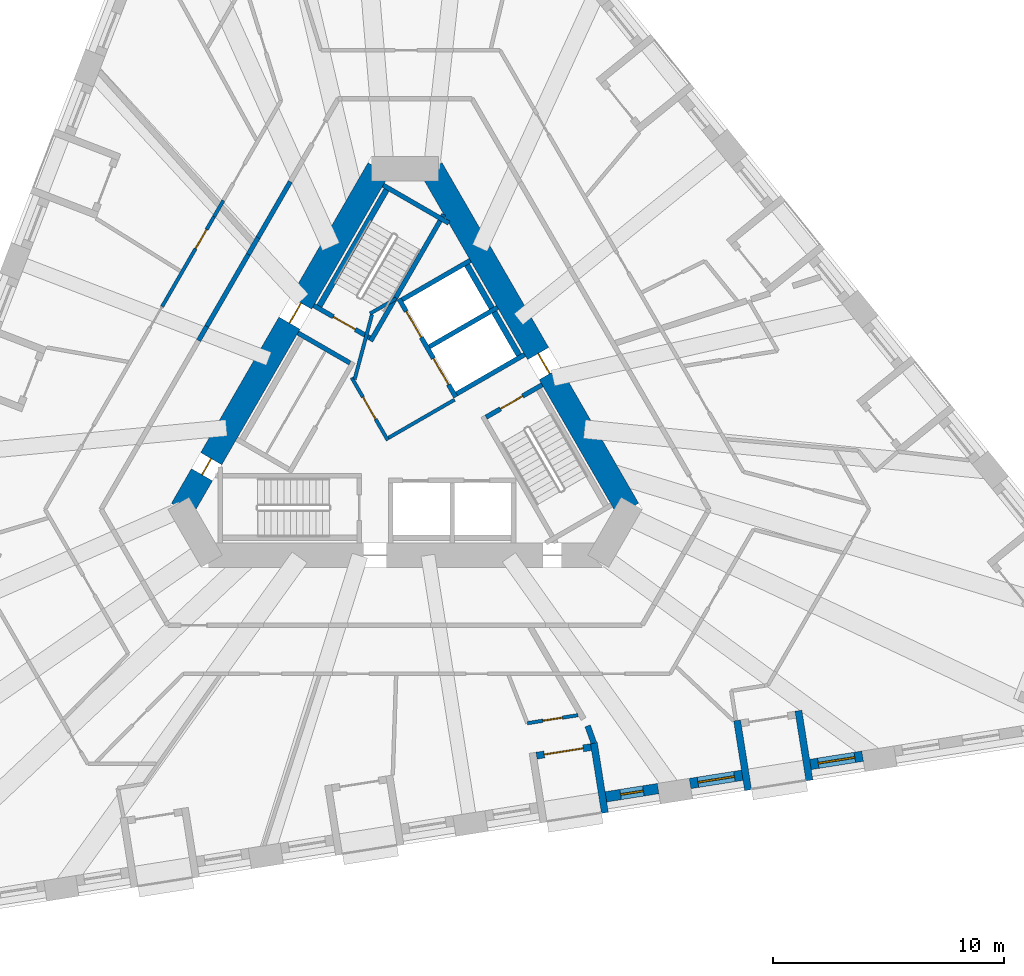
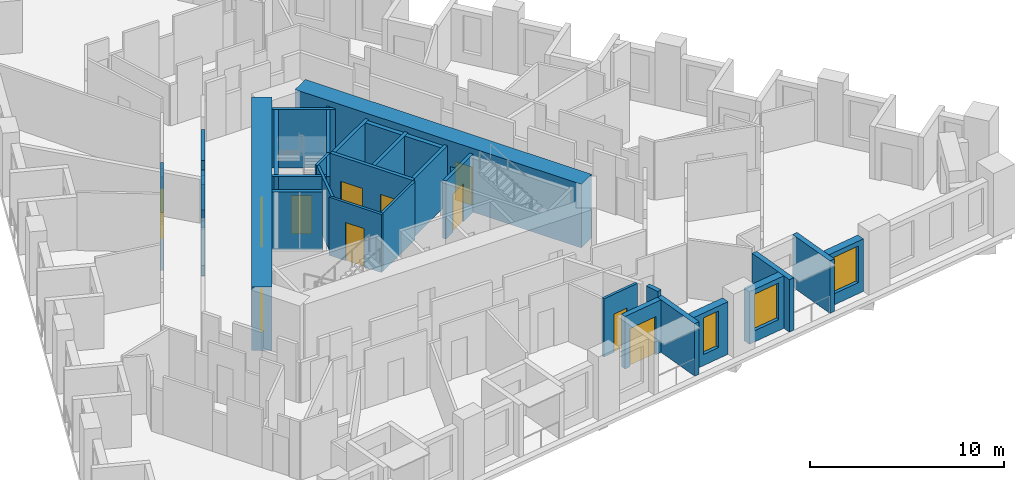
# One storey, part 5 of 14: 32 walls, 11 doors, 3 windows, 14 openings.
"""IFC4 building model written with IfcOpenShell, lengths in metres."""

from ifc_helpers import new_model, si_unit, direction, frame, frame_2d, origin, place, context, subcontext, project, spatial, rectangle, extrude, material, layer, layer_set, type_object, element, fill, save


model = new_model("IFC4")

# Units and contexts
model_context = context("Model", 3, precision=1e-05, world=origin(), true_north=direction((0.0, 1.0)))
body_context = subcontext(model_context, "Body", "Model", "MODEL_VIEW")
ifc_project = project(units=[si_unit("LENGTHUNIT", "METRE"), si_unit("AREAUNIT", "SQUARE_METRE"), si_unit("VOLUMEUNIT", "CUBIC_METRE"), si_unit("PLANEANGLEUNIT", "RADIAN"), si_unit("MASSUNIT", "GRAM", prefix="KILO")], contexts=[model_context])

# Site, building, storey
site_placement = place(None, origin())
site = spatial("IfcSite", under=ifc_project, at=site_placement, CompositionType="ELEMENT")
building_placement = place(site_placement, origin())
building = spatial("IfcBuilding", under=site, at=building_placement, Name="Tramontana Tower", CompositionType="ELEMENT")
storey_placement = place(building_placement, frame((0.0, 0.0, 75.199951171875)))
storey = spatial("IfcBuildingStorey", under=building, at=storey_placement, Name="L16", CompositionType="ELEMENT", Elevation=75.199951171875)

# Wall, openings, doors
ifc_material_1 = material(Name="Concrete 70 MPa", Category="concrete")
ifc_layer_1 = layer(ifc_material_1, 1.050048828125)
ifc_layer_set_1 = layer_set([ifc_layer_1], Name="Core wall 1050 70 MPa")
wall_type_1 = type_object("IfcWallType", Name="Core wall 1050 70 MPa", PredefinedType="SHEAR", material=ifc_layer_set_1)
wall_1_placement = place(storey_placement, frame((-1.140380859375, 10.47509765625, 0.0), z_axis=(0.0, 0.0, 1.0), x_axis=(-0.499985955615, -0.866033512162, 0.0)))
wall_1 = element("IfcWall", 1, at=wall_1_placement, inside=storey, type_object=wall_type_1, Name="Core wall C1 L16", PredefinedType="SHEAR", context=body_context, shape_type="SweptSolid", body=[
    extrude(rectangle(XDim=17.0029296875, YDim=1.050048828125, at=frame_2d((8.50146484375, 0.0))), origin(), (0.0, 0.0, 1.0), 4.0),
])
opening_1_placement = place(wall_1_placement, frame((6.70654296875, 0.0, 0.0)))
opening_1 = element("IfcOpeningElement", 2, at=opening_1_placement, cuts=wall_1, Name="Opening RG1", PredefinedType="OPENING", context=body_context, shape_type="SweptSolid", body=[
    extrude(rectangle(XDim=1.0, YDim=2.39990234375, at=frame_2d((0.5, 1.199951171875))), frame((0.0, 0.534912109375, 0.0), z_axis=(0.0, -1.0, 0.0), x_axis=(1.0, 0.0, 0.0)), (0.0, 0.0, 1.0), 1.070068359375),
])
opening_2_placement = place(wall_1_placement, frame((14.472412109375, 0.0, 0.0)))
opening_2 = element("IfcOpeningElement", 3, at=opening_2_placement, cuts=wall_1, Name="Opening PD1", PredefinedType="OPENING", context=body_context, shape_type="SweptSolid", body=[
    extrude(rectangle(XDim=0.800048828125, YDim=2.10009765625, at=frame_2d((0.39990234375, 1.050048828125))), frame((0.0, 0.534912109375, 0.0), z_axis=(0.0, -1.0, 0.0), x_axis=(1.0, 0.0, 0.0)), (0.0, 0.0, 1.0), 1.070068359375),
])
ifc_material_2 = material(Name="Painted steel", Category="steel")
door_type_1 = type_object("IfcDoorType", Name="CUPBOARD DOOR 800", OperationType="SINGLE_SWING_LEFT", PredefinedType="DOOR", material=ifc_material_2)
door_1_placement = place(opening_2_placement, origin())
door_1 = element("IfcDoor", 4, at=door_1_placement, inside=storey, type_object=door_type_1, Name="Door PD1", OperationType="SINGLE_SWING_LEFT", OverallHeight=2.10009765625, OverallWidth=0.800048828125, PredefinedType="DOOR", context=body_context, shape_type="SweptSolid", body=[
    extrude(rectangle(XDim=0.800048828125, YDim=2.10009765625, at=frame_2d((0.39990234375, 1.050048828125))), frame((0.0, 0.02490234375, 0.0), z_axis=(0.0, -1.0, 0.0), x_axis=(1.0, 0.0, 0.0)), (0.0, 0.0, 1.0), 0.050048828125),
])
fill(opening_2, door_1)
ifc_material_3 = material(Name="Painted steel", Category="steel")
door_type_2 = type_object("IfcDoorType", Name="RING DOOR 1000", OperationType="SINGLE_SWING_LEFT", PredefinedType="DOOR", material=ifc_material_3)
door_2_placement = place(opening_1_placement, origin())
door_2 = element("IfcDoor", 5, at=door_2_placement, inside=storey, type_object=door_type_2, Name="Door RG1", OperationType="SINGLE_SWING_RIGHT", OverallHeight=2.39990234375, OverallWidth=1.0, PredefinedType="DOOR", context=body_context, shape_type="SweptSolid", body=[
    extrude(rectangle(XDim=1.0, YDim=2.39990234375, at=frame_2d((0.5, 1.199951171875))), frame((0.0, 0.02490234375, 0.0), z_axis=(0.0, -1.0, 0.0), x_axis=(1.0, 0.0, 0.0)), (0.0, 0.0, 1.0), 0.050048828125),
])
fill(opening_1, door_2)

# Wall, opening, door
wall_2_placement = place(storey_placement, frame((9.6416015625, -4.25, 0.0), z_axis=(0.0, 0.0, 1.0), x_axis=(-0.499985955615, 0.866033512162, 0.0)))
wall_2 = element("IfcWall", 6, at=wall_2_placement, inside=storey, type_object=wall_type_1, Name="Core wall C5 L16", PredefinedType="SHEAR", context=body_context, shape_type="SweptSolid", body=[
    extrude(rectangle(XDim=17.0029296875, YDim=1.050048828125, at=frame_2d((8.50146484375, 0.0))), origin(), (0.0, 0.0, 1.0), 4.0),
])
opening_3_placement = place(wall_2_placement, frame((6.7763671875, 0.0, 0.0)))
opening_3 = element("IfcOpeningElement", 7, at=opening_3_placement, cuts=wall_2, Name="Opening RG3", PredefinedType="OPENING", context=body_context, shape_type="SweptSolid", body=[
    extrude(rectangle(XDim=1.0, YDim=2.39990234375, at=frame_2d((0.5, 1.199951171875))), frame((0.0, 0.534912109375, 0.0), z_axis=(0.0, -1.0, 0.0), x_axis=(1.0, 0.0, 0.0)), (0.0, 0.0, 1.0), 1.070068359375),
])
door_3_placement = place(opening_3_placement, origin())
door_3 = element("IfcDoor", 8, at=door_3_placement, inside=storey, type_object=door_type_2, Name="Door RG3", OperationType="SINGLE_SWING_RIGHT", OverallHeight=2.39990234375, OverallWidth=1.0, PredefinedType="DOOR", context=body_context, shape_type="SweptSolid", body=[
    extrude(rectangle(XDim=1.0, YDim=2.39990234375, at=frame_2d((0.5, 1.199951171875))), frame((0.0, 0.02490234375, 0.0), z_axis=(0.0, -1.0, 0.0), x_axis=(1.0, 0.0, 0.0)), (0.0, 0.0, 1.0), 0.050048828125),
])
fill(opening_3, door_3)

# Walls
ifc_material_4 = material(Name="Blockwork", Category="masonry")
ifc_layer_2 = layer(ifc_material_4, 0.199951171875)
ifc_layer_set_2 = layer_set([ifc_layer_2], Name="ENTRY WALL 200")
wall_type_2 = type_object("IfcWallType", Name="ENTRY WALL 200", PredefinedType="SOLIDWALL", material=ifc_layer_set_2)
wall_3_placement = place(storey_placement, frame((-8.92041015625, 3.04931640625, 0.0), z_axis=(0.0, 0.0, 1.0), x_axis=(0.499881507708, 0.866093804534, 0.0)))
element("IfcWall", 9, at=wall_3_placement, inside=storey, type_object=wall_type_2, Name="Wall v12-ew4-3", PredefinedType="SOLIDWALL", context=body_context, shape_type="SweptSolid", body=[
    extrude(rectangle(XDim=0.708740234375, YDim=0.199951171875, at=frame_2d((0.3544921875, 0.0))), origin(), (0.0, 0.0, 1.0), 2.949951171875),
])
wall_4_placement = place(storey_placement, frame((-8.566162109375, 3.6630859375, 0.0), z_axis=(0.0, 0.0, 1.0), x_axis=(0.500013241293, 0.866017758786, 0.0)))
element("IfcWall", 10, at=wall_4_placement, inside=storey, type_object=wall_type_2, Name="Wall v12-ew4-4", PredefinedType="SOLIDWALL", context=body_context, shape_type="SweptSolid", body=[
    extrude(rectangle(XDim=3.58544921875, YDim=0.199951171875, at=frame_2d((1.792724609375, 0.0))), origin(), (0.0, 0.0, 1.0), 3.650146484375),
])
wall_5_placement = place(storey_placement, frame((-6.7734375, 6.76806640625, 0.0), z_axis=(0.0, 0.0, 1.0), x_axis=(0.500117447933, 0.865957584569, 0.0)))
element("IfcWall", 11, at=wall_5_placement, inside=storey, type_object=wall_type_2, Name="Wall v12-ew4-5", PredefinedType="SOLIDWALL", context=body_context, shape_type="SweptSolid", body=[
    extrude(rectangle(XDim=0.838134765625, YDim=0.199951171875, at=frame_2d((0.4189453125, 0.0))), origin(), (0.0, 0.0, 1.0), 2.75),
])
wall_6_placement = place(storey_placement, frame((-6.354248046875, 7.493896484375, 0.0), z_axis=(0.0, 0.0, 1.0), x_axis=(0.499964529649, 0.866045881633, 0.0)))
element("IfcWall", 12, at=wall_6_placement, inside=storey, type_object=wall_type_2, Name="Wall v12-ew4-6", PredefinedType="SOLIDWALL", context=body_context, shape_type="SweptSolid", body=[
    extrude(rectangle(XDim=2.793701171875, YDim=0.199951171875, at=frame_2d((1.39697265625, 0.0))), origin(), (0.0, 0.0, 1.0), 3.650146484375),
])

# Wall, opening, window
ifc_material_5 = material(Name="Precast concrete 60 MPa", Category="concrete")
ifc_layer_3 = layer(ifc_material_5, 0.449951171875)
ifc_layer_set_3 = layer_set([ifc_layer_3], Name="Precast concrete 60 MPa, 450 mm")
wall_type_3 = type_object("IfcWallType", Name="EW1 Stone-faced precast wall 450", PredefinedType="SOLIDWALL", material=ifc_layer_set_3)
wall_7_placement = place(storey_placement, frame((8.680908203125, -16.67236328125, 0.0), z_axis=(0.0, 0.0, 1.0), x_axis=(0.987685675151, 0.156451293065, 0.0)))
wall_7 = element("IfcWall", 13, at=wall_7_placement, inside=storey, type_object=wall_type_3, Name="External wall L16 face 1 bay 4", PredefinedType="SOLIDWALL", context=body_context, shape_type="SweptSolid", body=[
    extrude(rectangle(XDim=2.282958984375, YDim=0.449951171875, at=frame_2d((1.1416015625, 0.0))), origin(), (0.0, 0.0, 1.0), 3.300048828125),
])
opening_4_placement = place(wall_7_placement, frame((0.6416015625, 0.0, 0.699951171875)))
opening_4 = element("IfcOpeningElement", 14, at=opening_4_placement, cuts=wall_7, Name="Opening N1", PredefinedType="OPENING", context=body_context, shape_type="SweptSolid", body=[
    extrude(rectangle(XDim=1.0, YDim=2.300048828125, at=frame_2d((0.5, 1.14990234375))), frame((0.0, 0.23486328125, 0.0), z_axis=(0.0, -1.0, 0.0), x_axis=(1.0, 0.0, 0.0)), (0.0, 0.0, 1.0), 0.469970703125),
])
ifc_material_6 = material(Name="Aluminum frame, double glazing unit", Category="aluminium")
window_type_1 = type_object("IfcWindowType", Name="N1 Window 1 x 2.3", PartitioningType="SINGLE_PANEL", PredefinedType="WINDOW", material=ifc_material_6)
window_1_placement = place(opening_4_placement, origin())
window_1 = element("IfcWindow", 15, at=window_1_placement, inside=storey, type_object=window_type_1, Name="Window N1 L16 face 1 module 12", OverallHeight=2.300048828125, OverallWidth=1.0, PartitioningType="SINGLE_PANEL", PredefinedType="WINDOW", context=body_context, shape_type="SweptSolid", body=[
    extrude(rectangle(XDim=1.0, YDim=2.300048828125, at=frame_2d((0.5, 1.14990234375))), frame((0.0, 0.030029296875, 0.0), z_axis=(0.0, -1.0, 0.0), x_axis=(1.0, 0.0, 0.0)), (0.0, 0.0, 1.0), 0.06005859375),
])
fill(opening_4, window_1)

wall_8_placement = place(storey_placement, frame((12.318603515625, -16.09619140625, 0.0), z_axis=(0.0, 0.0, 1.0), x_axis=(0.987685675151, 0.156451293065, 0.0)))
wall_8 = element("IfcWall", 16, at=wall_8_placement, inside=storey, type_object=wall_type_3, Name="External wall L16 face 1 bay 5", PredefinedType="SOLIDWALL", context=body_context, shape_type="SweptSolid", body=[
    extrude(rectangle(XDim=2.282958984375, YDim=0.449951171875, at=frame_2d((1.1416015625, 0.0))), origin(), (0.0, 0.0, 1.0), 3.300048828125),
])
opening_5_placement = place(wall_8_placement, frame((0.341552734375, 0.0, 0.699951171875)))
opening_5 = element("IfcOpeningElement", 17, at=opening_5_placement, cuts=wall_8, Name="Opening M1", PredefinedType="OPENING", context=body_context, shape_type="SweptSolid", body=[
    extrude(rectangle(XDim=1.60009765625, YDim=2.300048828125, at=frame_2d((0.800048828125, 1.14990234375))), frame((0.0, 0.23486328125, 0.0), z_axis=(0.0, -1.0, 0.0), x_axis=(1.0, 0.0, 0.0)), (0.0, 0.0, 1.0), 0.469970703125),
])
ifc_material_7 = material(Name="Aluminum frame, double glazing unit", Category="aluminium")
window_type_2 = type_object("IfcWindowType", Name="M1 Window 1.6 x 2.3", PartitioningType="SINGLE_PANEL", PredefinedType="WINDOW", material=ifc_material_7)
window_2_placement = place(opening_5_placement, origin())
window_2 = element("IfcWindow", 18, at=window_2_placement, inside=storey, type_object=window_type_2, Name="Window M1 L16 face 1 module 13", OverallHeight=2.300048828125, OverallWidth=1.60009765625, PartitioningType="SINGLE_PANEL", PredefinedType="WINDOW", context=body_context, shape_type="SweptSolid", body=[
    extrude(rectangle(XDim=1.60009765625, YDim=2.300048828125, at=frame_2d((0.800048828125, 1.14990234375))), frame((0.0, 0.030029296875, 0.0), z_axis=(0.0, -1.0, 0.0), x_axis=(1.0, 0.0, 0.0)), (0.0, 0.0, 1.0), 0.06005859375),
])
fill(opening_5, window_2)

wall_9_placement = place(storey_placement, frame((17.519775390625, -15.2724609375, 0.0), z_axis=(0.0, 0.0, 1.0), x_axis=(0.987685675151, 0.156451293065, 0.0)))
wall_9 = element("IfcWall", 19, at=wall_9_placement, inside=storey, type_object=wall_type_3, Name="External wall L16 face 1 bay 5", PredefinedType="SOLIDWALL", context=body_context, shape_type="SweptSolid", body=[
    extrude(rectangle(XDim=2.282958984375, YDim=0.449951171875, at=frame_2d((1.1416015625, 0.0))), origin(), (0.0, 0.0, 1.0), 3.300048828125),
])
opening_6_placement = place(wall_9_placement, frame((0.341552734375, 0.0, 0.699951171875)))
opening_6 = element("IfcOpeningElement", 20, at=opening_6_placement, cuts=wall_9, Name="Opening M1", PredefinedType="OPENING", context=body_context, shape_type="SweptSolid", body=[
    extrude(rectangle(XDim=1.60009765625, YDim=2.300048828125, at=frame_2d((0.800048828125, 1.14990234375))), frame((0.0, 0.23486328125, 0.0), z_axis=(0.0, -1.0, 0.0), x_axis=(1.0, 0.0, 0.0)), (0.0, 0.0, 1.0), 0.469970703125),
])
window_3_placement = place(opening_6_placement, origin())
window_3 = element("IfcWindow", 21, at=window_3_placement, inside=storey, type_object=window_type_2, Name="Window M1 L16 face 1 module 15", OverallHeight=2.300048828125, OverallWidth=1.60009765625, PartitioningType="SINGLE_PANEL", PredefinedType="WINDOW", context=body_context, shape_type="SweptSolid", body=[
    extrude(rectangle(XDim=1.60009765625, YDim=2.300048828125, at=frame_2d((0.800048828125, 1.14990234375))), frame((0.0, 0.030029296875, 0.0), z_axis=(0.0, -1.0, 0.0), x_axis=(1.0, 0.0, 0.0)), (0.0, 0.0, 1.0), 0.06005859375),
])
fill(opening_6, window_3)

# Wall, opening, door
ifc_material_8 = material(Name="Precast concrete 60 MPa", Category="concrete")
ifc_layer_4 = layer(ifc_material_8, 0.300048828125)
ifc_layer_set_4 = layer_set([ifc_layer_4], Name="LW1 Stone-faced loggia wall 300")
wall_type_4 = type_object("IfcWallType", Name="LW1 Stone-faced loggia wall 300", PredefinedType="SOLIDWALL", material=ifc_layer_set_4)
wall_10_placement = place(storey_placement, frame((5.682861328125, -14.894287109375, 0.0), z_axis=(0.0, 0.0, 1.0), x_axis=(0.987688093492, 0.15643602518, 0.0)))
wall_10 = element("IfcWall", 22, at=wall_10_placement, inside=storey, type_object=wall_type_4, Name="Loggia wall L16 G1S1.10", PredefinedType="SOLIDWALL", context=body_context, shape_type="SweptSolid", body=[
    extrude(rectangle(XDim=2.383056640625, YDim=0.300048828125, at=frame_2d((1.19140625, 0.0))), origin(), (0.0, 0.0, 1.0), 3.300048828125),
])
opening_7_placement = place(wall_10_placement, frame((0.341552734375, 0.0, 0.0)))
opening_7 = element("IfcOpeningElement", 23, at=opening_7_placement, cuts=wall_10, Name="Opening BD-1S1-10", PredefinedType="OPENING", context=body_context, shape_type="SweptSolid", body=[
    extrude(rectangle(XDim=1.699951171875, YDim=2.39990234375, at=frame_2d((0.85009765625, 1.199951171875))), frame((0.0, 0.159912109375, 0.0), z_axis=(0.0, -1.0, 0.0), x_axis=(1.0, 0.0, 0.0)), (0.0, 0.0, 1.0), 0.320068359375),
])
ifc_material_9 = material(Name="Aluminum frame, double glazing unit", Category="aluminium")
door_type_3 = type_object("IfcDoorType", Name="BD1 Sliding door 1.7 x 2.4", OperationType="SLIDING_TO_LEFT", PredefinedType="DOOR", material=ifc_material_9)
door_4_placement = place(opening_7_placement, origin())
door_4 = element("IfcDoor", 24, at=door_4_placement, inside=storey, type_object=door_type_3, Name="Loggia door L16 G1S1.10", OperationType="SLIDING_TO_LEFT", OverallHeight=2.39990234375, OverallWidth=1.699951171875, PredefinedType="DOOR", context=body_context, shape_type="SweptSolid", body=[
    extrude(rectangle(XDim=1.699951171875, YDim=2.39990234375, at=frame_2d((0.85009765625, 1.199951171875))), frame((0.0, 0.02490234375, 0.0), z_axis=(0.0, -1.0, 0.0), x_axis=(1.0, 0.0, 0.0)), (0.0, 0.0, 1.0), 0.050048828125),
])
fill(opening_7, door_4)

# Walls
for number, where, z_axis, x_axis, name in (
    (25, (8.638427734375, -17.3623046875, 0.0), (0.0, 0.0, 1.0), (-0.156410600741, 0.987692120033, 0.0), "Loggia return L16 G1S1.10b"),
    (26, (14.8271484375, -16.38232421875, 0.0), (0.0, 0.0, 1.0), (-0.156410600741, 0.987692120033, 0.0), "Loggia return L16 G1S1.13a"),
    (27, (17.47705078125, -15.96240234375, 0.0), (0.0, 0.0, 1.0), (-0.156410600741, 0.987692120033, 0.0), "Loggia return L16 G1S1.13b"),
):
    element("IfcWall", number, at=place(storey_placement, frame(where, z_axis=z_axis, x_axis=x_axis)), inside=storey, type_object=wall_type_4, Name=name, PredefinedType="SOLIDWALL", context=body_context, shape_type="SweptSolid", body=[
        extrude(rectangle(XDim=3.050048828125, YDim=0.300048828125, at=frame_2d((1.52490234375, 0.0))), origin(), (0.0, 0.0, 1.0), 3.300048828125),
    ])

# Wall, opening, door
ifc_material_10 = material(Name="Gypsum board partition")
ifc_layer_5 = layer(ifc_material_10, 0.14990234375)
ifc_layer_set_5 = layer_set([ifc_layer_5], Name="PARTITION 150")
wall_type_5 = type_object("IfcWallType", Name="PARTITION 150", PredefinedType="PARTITIONING", material=ifc_layer_set_5)
wall_11_placement = place(storey_placement, frame((-0.744140625, -1.260986328125, 0.0), z_axis=(0.0, 0.0, 1.0), x_axis=(-0.500004234368, 0.866022959057, 0.0)))
wall_11 = element("IfcWall", 28, at=wall_11_placement, inside=storey, type_object=wall_type_5, Name="Wall ff-front", PredefinedType="PARTITIONING", context=body_context, shape_type="SweptSolid", body=[
    extrude(rectangle(XDim=3.125, YDim=0.14990234375, at=frame_2d((1.5625, 0.0))), origin(), (0.0, 0.0, 1.0), 3.650146484375),
])
opening_8_placement = place(wall_11_placement, frame((1.050048828125, 0.0, 0.0)))
opening_8 = element("IfcOpeningElement", 29, at=opening_8_placement, cuts=wall_11, Name="Opening FD1", PredefinedType="OPENING", context=body_context, shape_type="SweptSolid", body=[
    extrude(rectangle(XDim=1.10009765625, YDim=2.39990234375, at=frame_2d((0.550048828125, 1.199951171875))), frame((0.0, 0.0849609375, 0.0), z_axis=(0.0, -1.0, 0.0), x_axis=(1.0, 0.0, 0.0)), (0.0, 0.0, 1.0), 0.169921875),
])
ifc_material_11 = material(Name="Painted timber", Category="wood")
door_type_4 = type_object("IfcDoorType", Name="DOOR ENTRY 1100", OperationType="SINGLE_SWING_LEFT", PredefinedType="DOOR", material=ifc_material_11)
door_5_placement = place(opening_8_placement, origin())
door_5 = element("IfcDoor", 30, at=door_5_placement, inside=storey, type_object=door_type_4, Name="Door FD1", OperationType="SINGLE_SWING_LEFT", OverallHeight=2.39990234375, OverallWidth=1.10009765625, PredefinedType="DOOR", context=body_context, shape_type="SweptSolid", body=[
    extrude(rectangle(XDim=1.10009765625, YDim=2.39990234375, at=frame_2d((0.550048828125, 1.199951171875))), frame((0.0, 0.02490234375, 0.0), z_axis=(0.0, -1.0, 0.0), x_axis=(1.0, 0.0, 0.0)), (0.0, 0.0, 1.0), 0.050048828125),
])
fill(opening_8, door_5)

# Walls
wall_12_placement = place(storey_placement, frame((-0.716796875, -1.15869140625, 0.0), z_axis=(0.0, 0.0, 1.0), x_axis=(0.866008176907, 0.50002983664, 0.0)))
element("IfcWall", 31, at=wall_12_placement, inside=storey, type_object=wall_type_5, Name="Wall ff-end0", PredefinedType="PARTITIONING", context=body_context, shape_type="SweptSolid", body=[
    extrude(rectangle(XDim=3.300048828125, YDim=0.14990234375, at=frame_2d((1.64990234375, 0.0))), origin(), (0.0, 0.0, 1.0), 3.650146484375),
])
wall_13_placement = place(storey_placement, frame((-2.177978515625, 1.372314453125, 0.0), z_axis=(0.0, 0.0, 1.0), x_axis=(0.258808958833, 0.96592852884, 0.0)))
element("IfcWall", 32, at=wall_13_placement, inside=storey, type_object=wall_type_5, Name="Wall ff-diag", PredefinedType="PARTITIONING", context=body_context, shape_type="SweptSolid", body=[
    extrude(rectangle(XDim=2.902587890625, YDim=0.14990234375, at=frame_2d((1.451171875, 0.0))), origin(), (0.0, 0.0, 1.0), 3.650146484375),
])
wall_14_placement = place(storey_placement, frame((-1.509765625, 4.21484375, 0.0), z_axis=(0.0, 0.0, 1.0), x_axis=(0.866085525409, 0.49989585183, 0.0)))
element("IfcWall", 33, at=wall_14_placement, inside=storey, type_object=wall_type_5, Name="Wall ff-end1", PredefinedType="PARTITIONING", context=body_context, shape_type="SweptSolid", body=[
    extrude(rectangle(XDim=1.300048828125, YDim=0.14990234375, at=frame_2d((0.64990234375, 0.0))), origin(), (0.0, 0.0, 1.0), 3.650146484375),
])

# Wall, opening, door
wall_15_placement = place(storey_placement, frame((-10.500244140625, 4.51318359375, 0.0), z_axis=(0.0, 0.0, 1.0), x_axis=(0.500001951578, 0.866024277037, 0.0)))
wall_15 = element("IfcWall", 34, at=wall_15_placement, inside=storey, type_object=wall_type_5, Name="Wall v12-pw03-4", PredefinedType="PARTITIONING", context=body_context, shape_type="SweptSolid", body=[
    extrude(rectangle(XDim=4.486328125, YDim=0.14990234375, at=frame_2d((2.2431640625, 0.0))), origin(), (0.0, 0.0, 1.0), 3.650146484375),
])
opening_9_placement = place(wall_15_placement, frame((2.894775390625, 0.0, 0.0)))
opening_9 = element("IfcOpeningElement", 35, at=opening_9_placement, cuts=wall_15, Name="Opening B1C-13", PredefinedType="OPENING", context=body_context, shape_type="SweptSolid", body=[
    extrude(rectangle(XDim=0.949951171875, YDim=2.39990234375, at=frame_2d((0.47509765625, 1.199951171875))), frame((0.0, 0.0849609375, 0.0), z_axis=(0.0, -1.0, 0.0), x_axis=(1.0, 0.0, 0.0)), (0.0, 0.0, 1.0), 0.169921875),
])
ifc_material_12 = material(Name="Painted timber", Category="wood")
door_type_5 = type_object("IfcDoorType", Name="DOOR ROOM 950", OperationType="SINGLE_SWING_LEFT", PredefinedType="DOOR", material=ifc_material_12)
door_6_placement = place(opening_9_placement, origin())
door_6 = element("IfcDoor", 36, at=door_6_placement, inside=storey, type_object=door_type_5, Name="Door B1C-13", OperationType="SINGLE_SWING_LEFT", OverallHeight=2.39990234375, OverallWidth=0.949951171875, PredefinedType="DOOR", context=body_context, shape_type="SweptSolid", body=[
    extrude(rectangle(XDim=0.949951171875, YDim=2.39990234375, at=frame_2d((0.47509765625, 1.199951171875))), frame((0.0, 0.02490234375, 0.0), z_axis=(0.0, -1.0, 0.0), x_axis=(1.0, 0.0, 0.0)), (0.0, 0.0, 1.0), 0.050048828125),
])
fill(opening_9, door_6)

# Wall
wall_16_placement = place(storey_placement, frame((-8.257080078125, 8.3984375, 0.0), z_axis=(0.0, 0.0, 1.0), x_axis=(0.500052144805, 0.865995295874, 0.0)))
element("IfcWall", 37, at=wall_16_placement, inside=storey, type_object=wall_type_5, Name="Wall v12-pw03-5", PredefinedType="PARTITIONING", context=body_context, shape_type="SweptSolid", body=[
    extrude(rectangle(XDim=0.81201171875, YDim=0.14990234375, at=frame_2d((0.406005859375, 0.0))), origin(), (0.0, 0.0, 1.0), 2.75),
])

# Wall, opening, door
wall_17_placement = place(storey_placement, frame((5.286376953125, -13.489013671875, 0.0), z_axis=(0.0, 0.0, 1.0), x_axis=(0.987682537926, 0.156471097252, 0.0)))
wall_17 = element("IfcWall", 38, at=wall_17_placement, inside=storey, type_object=wall_type_5, Name="Wall v12-pw30", PredefinedType="PARTITIONING", context=body_context, shape_type="SweptSolid", body=[
    extrude(rectangle(XDim=2.21875, YDim=0.14990234375, at=frame_2d((1.109375, 0.0))), origin(), (0.0, 0.0, 1.0), 3.650146484375),
])
opening_10_placement = place(wall_17_placement, frame((0.684326171875, 0.0, 0.0)))
opening_10 = element("IfcOpeningElement", 39, at=opening_10_placement, cuts=wall_17, Name="Opening B1C-17", PredefinedType="OPENING", context=body_context, shape_type="SweptSolid", body=[
    extrude(rectangle(XDim=0.85009765625, YDim=2.39990234375, at=frame_2d((0.425048828125, 1.199951171875))), frame((0.0, 0.0849609375, 0.0), z_axis=(0.0, -1.0, 0.0), x_axis=(1.0, 0.0, 0.0)), (0.0, 0.0, 1.0), 0.169921875),
])
ifc_material_13 = material(Name="Painted timber", Category="wood")
door_type_6 = type_object("IfcDoorType", Name="DOOR BATH 850", OperationType="SINGLE_SWING_LEFT", PredefinedType="DOOR", material=ifc_material_13)
door_7_placement = place(opening_10_placement, origin())
door_7 = element("IfcDoor", 40, at=door_7_placement, inside=storey, type_object=door_type_6, Name="Door B1C-17", OperationType="SINGLE_SWING_LEFT", OverallHeight=2.39990234375, OverallWidth=0.85009765625, PredefinedType="DOOR", context=body_context, shape_type="SweptSolid", body=[
    extrude(rectangle(XDim=0.85009765625, YDim=2.39990234375, at=frame_2d((0.425048828125, 1.199951171875))), frame((0.0, 0.02490234375, 0.0), z_axis=(0.0, -1.0, 0.0), x_axis=(1.0, 0.0, 0.0)), (0.0, 0.0, 1.0), 0.050048828125),
])
fill(opening_10, door_7)

# Walls
ifc_material_14 = material(Name="Blockwork", Category="masonry")
ifc_layer_6 = layer(ifc_material_14, 0.25)
ifc_layer_set_6 = layer_set([ifc_layer_6], Name="PARTY WALL 250")
wall_type_6 = type_object("IfcWallType", Name="PARTY WALL 250", PredefinedType="SOLIDWALL", material=ifc_layer_set_6)
wall_18_placement = place(storey_placement, frame((7.8916015625, -13.606201171875, 0.0), z_axis=(0.0, 0.0, 1.0), x_axis=(0.341024353222, -0.940054461459, 0.0)))
element("IfcWall", 41, at=wall_18_placement, inside=storey, type_object=wall_type_6, Name="Wall v12-pw31", PredefinedType="SOLIDWALL", context=body_context, shape_type="SweptSolid", body=[
    extrude(rectangle(XDim=0.791015625, YDim=0.25, at=frame_2d((0.3955078125, 0.0))), origin(), (0.0, 0.0, 1.0), 3.650146484375),
])
ifc_material_15 = material(Name="Concrete 70 MPa", Category="concrete")
ifc_layer_7 = layer(ifc_material_15, 0.25)
ifc_layer_set_7 = layer_set([ifc_layer_7], Name="Concrete 70 MPa, 250 mm")
wall_type_7 = type_object("IfcWallType", Name="RC SHAFT BACK WALL 250", PredefinedType="SOLIDWALL", material=ifc_layer_set_7)
wall_19_placement = place(storey_placement, frame((-0.701416015625, 9.73486328125, 0.0), z_axis=(0.0, 0.0, 1.0), x_axis=(-0.500026960575, -0.86600983753, 0.0)))
element("IfcWall", 42, at=wall_19_placement, inside=storey, type_object=wall_type_7, Name="Wall st1-back", PredefinedType="SOLIDWALL", context=body_context, shape_type="SweptSolid", body=[
    extrude(rectangle(XDim=6.199951171875, YDim=0.25, at=frame_2d((3.10009765625, 0.0))), origin(), (0.0, 0.0, 1.0), 3.650146484375),
])
wall_20_placement = place(storey_placement, frame((5.0263671875, 2.243896484375, 0.0), z_axis=(0.0, 0.0, 1.0), x_axis=(-0.500002801628, 0.866023786258, 0.0)))
element("IfcWall", 43, at=wall_20_placement, inside=storey, type_object=wall_type_7, Name="Wall row2-back", PredefinedType="SOLIDWALL", context=body_context, shape_type="SweptSolid", body=[
    extrude(rectangle(XDim=4.89990234375, YDim=0.25, at=frame_2d((2.449951171875, 0.0))), origin(), (0.0, 0.0, 1.0), 3.650146484375),
])
ifc_material_16 = material(Name="Concrete 70 MPa", Category="concrete")
ifc_layer_8 = layer(ifc_material_16, 0.199951171875)
ifc_layer_set_8 = layer_set([ifc_layer_8], Name="Concrete 70 MPa, 200 mm")
wall_type_8 = type_object("IfcWallType", Name="RC STAIR AND SHAFT WALL 200", PredefinedType="SOLIDWALL", material=ifc_layer_set_8)
wall_21_placement = place(storey_placement, frame((1.67431640625, 8.5, 0.0), z_axis=(0.0, 0.0, 1.0), x_axis=(-0.499995607161, -0.866027939976, 0.0)))
element("IfcWall", 44, at=wall_21_placement, inside=storey, type_object=wall_type_8, Name="Wall st1-front", PredefinedType="SOLIDWALL", context=body_context, shape_type="SweptSolid", body=[
    extrude(rectangle(XDim=6.318359375, YDim=0.199951171875, at=frame_2d((3.1591796875, 0.0))), origin(), (0.0, 0.0, 1.0), 3.650146484375),
])
wall_22_placement = place(storey_placement, frame((1.892578125, 8.121826171875, 0.0), z_axis=(0.0, 0.0, 1.0), x_axis=(-0.866006986733, 0.500031897912, 0.0)))
element("IfcWall", 45, at=wall_22_placement, inside=storey, type_object=wall_type_8, Name="Wall st1-far", PredefinedType="SOLIDWALL", context=body_context, shape_type="SweptSolid", body=[
    extrude(rectangle(XDim=3.278076171875, YDim=0.199951171875, at=frame_2d((1.63916015625, 0.0))), origin(), (0.0, 0.0, 1.0), 3.650146484375),
])

# Wall, opening, door
wall_23_placement = place(storey_placement, frame((-1.521484375, 3.164794921875, 0.0), z_axis=(0.0, 0.0, 1.0), x_axis=(-0.866034573852, 0.49998411664, 0.0)))
wall_23 = element("IfcWall", 46, at=wall_23_placement, inside=storey, type_object=wall_type_8, Name="Wall st1-near", PredefinedType="SOLIDWALL", context=body_context, shape_type="SweptSolid", body=[
    extrude(rectangle(XDim=2.7998046875, YDim=0.199951171875, at=frame_2d((1.39990234375, 0.0))), origin(), (0.0, 0.0, 1.0), 3.650146484375),
])
opening_11_placement = place(wall_23_placement, frame((0.72509765625, 0.0, 0.0)))
opening_11 = element("IfcOpeningElement", 47, at=opening_11_placement, cuts=wall_23, Name="Opening SD1", PredefinedType="OPENING", context=body_context, shape_type="SweptSolid", body=[
    extrude(rectangle(XDim=1.10009765625, YDim=2.39990234375, at=frame_2d((0.550048828125, 1.199951171875))), frame((0.0, 0.10986328125, 0.0), z_axis=(0.0, -1.0, 0.0), x_axis=(1.0, 0.0, 0.0)), (0.0, 0.0, 1.0), 0.219970703125),
])
ifc_material_17 = material(Name="Painted steel", Category="steel")
door_type_7 = type_object("IfcDoorType", Name="STAIR DOOR 1100", OperationType="SINGLE_SWING_LEFT", PredefinedType="DOOR", material=ifc_material_17)
door_8_placement = place(opening_11_placement, origin())
door_8 = element("IfcDoor", 48, at=door_8_placement, inside=storey, type_object=door_type_7, Name="Door SD1", OperationType="SINGLE_SWING_RIGHT", OverallHeight=2.39990234375, OverallWidth=1.10009765625, PredefinedType="DOOR", context=body_context, shape_type="SweptSolid", body=[
    extrude(rectangle(XDim=1.10009765625, YDim=2.39990234375, at=frame_2d((0.550048828125, 1.199951171875))), frame((0.0, 0.02490234375, 0.0), z_axis=(0.0, -1.0, 0.0), x_axis=(1.0, 0.0, 0.0)), (0.0, 0.0, 1.0), 0.050048828125),
])
fill(opening_11, door_8)

wall_24_placement = place(storey_placement, frame((3.50146484375, -0.2646484375, 0.0), z_axis=(0.0, 0.0, 1.0), x_axis=(0.866034573852, 0.49998411664, 0.0)))
wall_24 = element("IfcWall", 49, at=wall_24_placement, inside=storey, type_object=wall_type_8, Name="Wall st3-near", PredefinedType="SOLIDWALL", context=body_context, shape_type="SweptSolid", body=[
    extrude(rectangle(XDim=2.7998046875, YDim=0.199951171875, at=frame_2d((1.39990234375, 0.0))), origin(), (0.0, 0.0, 1.0), 3.650146484375),
])
opening_12_placement = place(wall_24_placement, frame((0.72509765625, 0.0, 0.0)))
opening_12 = element("IfcOpeningElement", 50, at=opening_12_placement, cuts=wall_24, Name="Opening SD3", PredefinedType="OPENING", context=body_context, shape_type="SweptSolid", body=[
    extrude(rectangle(XDim=1.10009765625, YDim=2.39990234375, at=frame_2d((0.550048828125, 1.199951171875))), frame((0.0, 0.10986328125, 0.0), z_axis=(0.0, -1.0, 0.0), x_axis=(1.0, 0.0, 0.0)), (0.0, 0.0, 1.0), 0.219970703125),
])
door_9_placement = place(opening_12_placement, origin())
door_9 = element("IfcDoor", 51, at=door_9_placement, inside=storey, type_object=door_type_7, Name="Door SD3", OperationType="SINGLE_SWING_RIGHT", OverallHeight=2.39990234375, OverallWidth=1.10009765625, PredefinedType="DOOR", context=body_context, shape_type="SweptSolid", body=[
    extrude(rectangle(XDim=1.10009765625, YDim=2.39990234375, at=frame_2d((0.550048828125, 1.199951171875))), frame((0.0, 0.02490234375, 0.0), z_axis=(0.0, -1.0, 0.0), x_axis=(1.0, 0.0, 0.0)), (0.0, 0.0, 1.0), 0.050048828125),
])
fill(opening_12, door_9)

# Wall
wall_25_placement = place(storey_placement, frame((-2.379638671875, 2.078369140625, 0.0), z_axis=(0.0, 0.0, 1.0), x_axis=(-0.866062058628, 0.499936506574, 0.0)))
element("IfcWall", 52, at=wall_25_placement, inside=storey, type_object=wall_type_8, Name="Wall row0-side0", PredefinedType="SOLIDWALL", context=body_context, shape_type="SweptSolid", body=[
    extrude(rectangle(XDim=2.599853515625, YDim=0.199951171875, at=frame_2d((1.2998046875, 0.0))), origin(), (0.0, 0.0, 1.0), 3.650146484375),
])

# Wall, openings, doors
wall_26_placement = place(storey_placement, frame((2.190185546875, 0.6064453125, 0.0), z_axis=(0.0, 0.0, 1.0), x_axis=(-0.500002801628, 0.866023786258, 0.0)))
wall_26 = element("IfcWall", 53, at=wall_26_placement, inside=storey, type_object=wall_type_8, Name="Wall row2-front", PredefinedType="SOLIDWALL", context=body_context, shape_type="SweptSolid", body=[
    extrude(rectangle(XDim=4.89990234375, YDim=0.199951171875, at=frame_2d((2.449951171875, 0.0))), origin(), (0.0, 0.0, 1.0), 3.650146484375),
])
opening_13_placement = place(wall_26_placement, frame((0.625, 0.0, 0.0)))
opening_13 = element("IfcOpeningElement", 54, at=opening_13_placement, cuts=wall_26, Name="Opening LD-F1", PredefinedType="OPENING", context=body_context, shape_type="SweptSolid", body=[
    extrude(rectangle(XDim=1.300048828125, YDim=2.10009765625, at=frame_2d((0.64990234375, 1.050048828125))), frame((0.0, 0.10986328125, 0.0), z_axis=(0.0, -1.0, 0.0), x_axis=(1.0, 0.0, 0.0)), (0.0, 0.0, 1.0), 0.219970703125),
])
opening_14_placement = place(wall_26_placement, frame((2.97509765625, 0.0, 0.0)))
opening_14 = element("IfcOpeningElement", 55, at=opening_14_placement, cuts=wall_26, Name="Opening LD-F2", PredefinedType="OPENING", context=body_context, shape_type="SweptSolid", body=[
    extrude(rectangle(XDim=1.300048828125, YDim=2.10009765625, at=frame_2d((0.64990234375, 1.050048828125))), frame((0.0, 0.10986328125, 0.0), z_axis=(0.0, -1.0, 0.0), x_axis=(1.0, 0.0, 0.0)), (0.0, 0.0, 1.0), 0.219970703125),
])
ifc_material_18 = material(Name="Brushed steel", Category="steel")
door_type_8 = type_object("IfcDoorType", Name="LANDING DOOR 1300", OperationType="SINGLE_SWING_LEFT", PredefinedType="DOOR", material=ifc_material_18)
door_10_placement = place(opening_13_placement, origin())
door_10 = element("IfcDoor", 56, at=door_10_placement, inside=storey, type_object=door_type_8, Name="Door LD-F1", OperationType="SLIDING_TO_LEFT", OverallHeight=2.10009765625, OverallWidth=1.300048828125, PredefinedType="DOOR", context=body_context, shape_type="SweptSolid", body=[
    extrude(rectangle(XDim=1.300048828125, YDim=2.10009765625, at=frame_2d((0.64990234375, 1.050048828125))), frame((0.0, 0.02490234375, 0.0), z_axis=(0.0, -1.0, 0.0), x_axis=(1.0, 0.0, 0.0)), (0.0, 0.0, 1.0), 0.050048828125),
])
fill(opening_13, door_10)
door_11_placement = place(opening_14_placement, origin())
door_11 = element("IfcDoor", 57, at=door_11_placement, inside=storey, type_object=door_type_8, Name="Door LD-F2", OperationType="SLIDING_TO_RIGHT", OverallHeight=2.10009765625, OverallWidth=1.300048828125, PredefinedType="DOOR", context=body_context, shape_type="SweptSolid", body=[
    extrude(rectangle(XDim=1.300048828125, YDim=2.10009765625, at=frame_2d((0.64990234375, 1.050048828125))), frame((0.0, 0.02490234375, 0.0), z_axis=(0.0, -1.0, 0.0), x_axis=(1.0, 0.0, 0.0)), (0.0, 0.0, 1.0), 0.050048828125),
])
fill(opening_14, door_11)

# Walls
for number, where, z_axis, x_axis, name in (
    (58, (2.226806640625, 0.742919921875, 0.0), (0.0, 0.0, 1.0), (0.866038511948, 0.499977295307, 0.0), "Wall row2-side0"),
    (59, (1.0517578125, 2.778076171875, 0.0), (0.0, 0.0, 1.0), (0.866038511948, 0.499977295307, 0.0), "Wall row2-side1"),
):
    element("IfcWall", number, at=place(storey_placement, frame(where, z_axis=z_axis, x_axis=x_axis)), inside=storey, type_object=wall_type_8, Name=name, PredefinedType="SOLIDWALL", context=body_context, shape_type="SweptSolid", body=[
        extrude(rectangle(XDim=3.400146484375, YDim=0.199951171875, at=frame_2d((1.7001953125, 0.0))), origin(), (0.0, 0.0, 1.0), 3.650146484375),
    ])
wall_27_placement = place(storey_placement, frame((-0.123046875, 4.813232421875, 0.0), z_axis=(0.0, 0.0, 1.0), x_axis=(0.866020560687, 0.500008388397, 0.0)))
element("IfcWall", 60, at=wall_27_placement, inside=storey, type_object=wall_type_8, Name="Wall row2-side2", PredefinedType="SOLIDWALL", context=body_context, shape_type="SweptSolid", body=[
    extrude(rectangle(XDim=3.39990234375, YDim=0.199951171875, at=frame_2d((1.699951171875, 0.0))), origin(), (0.0, 0.0, 1.0), 3.650146484375),
])

save(model, "model.ifc")
